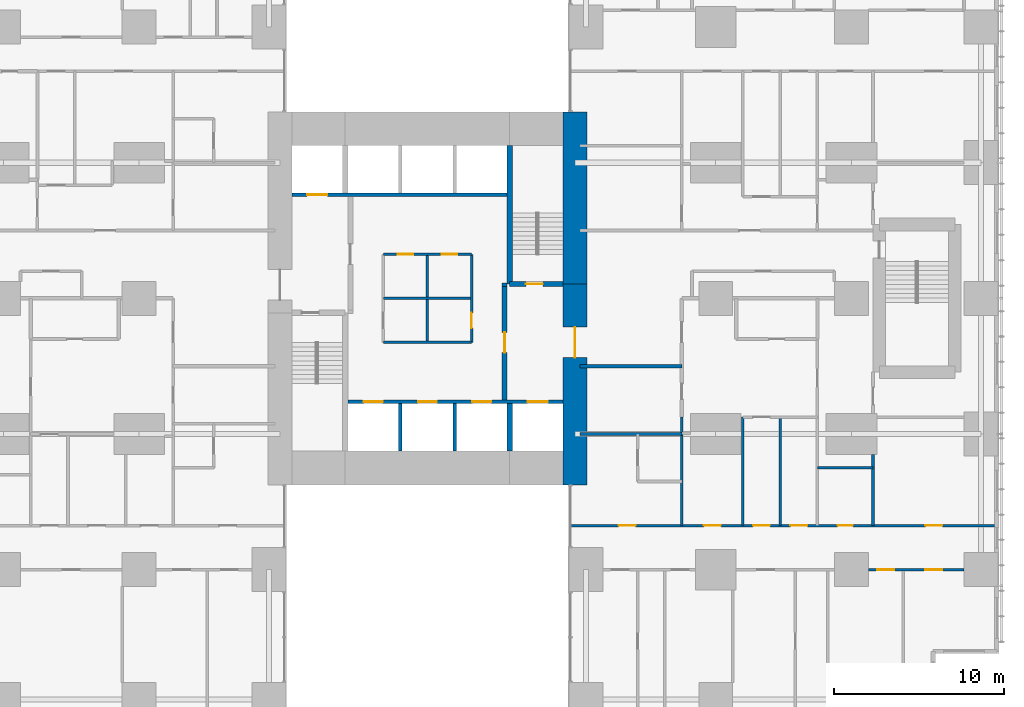
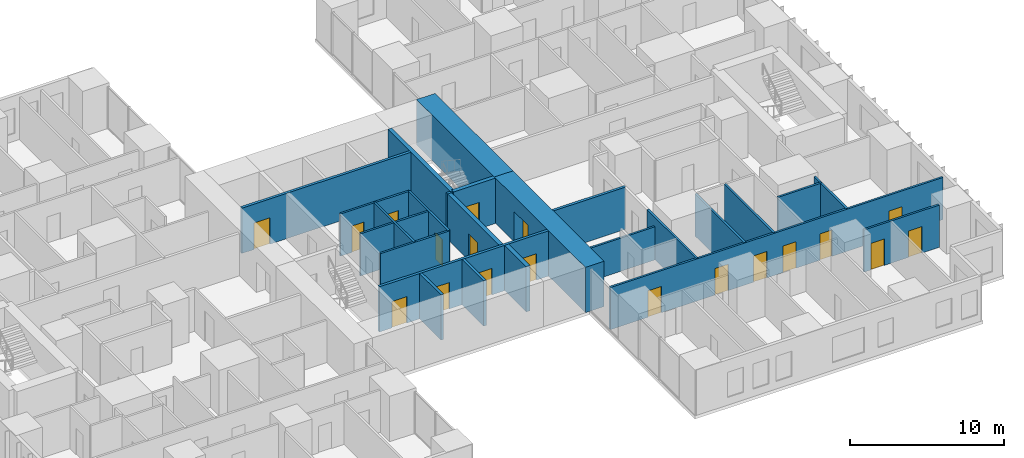
# One storey, part 15 of 20: 25 walls, 19 doors, 19 openings.
"""IFC4 building model written with IfcOpenShell, lengths in metres."""

from ifc_helpers import new_model, si_unit, direction, frame, frame_2d, origin, place, context, subcontext, project, spatial, rectangle, extrude, material, layer, layer_set, type_object, element, fill, save


model = new_model("IFC4")

# Units and contexts
model_context = context("Model", 3, precision=1e-05, world=origin(), true_north=direction((0.0, 1.0)))
body_context = subcontext(model_context, "Body", "Model", "MODEL_VIEW")
ifc_project = project(units=[si_unit("LENGTHUNIT", "METRE"), si_unit("AREAUNIT", "SQUARE_METRE"), si_unit("VOLUMEUNIT", "CUBIC_METRE"), si_unit("PLANEANGLEUNIT", "RADIAN"), si_unit("MASSUNIT", "GRAM", prefix="KILO")], contexts=[model_context])

# Site, building, storey
site_placement = place(None, origin())
site = spatial("IfcSite", under=ifc_project, at=site_placement, CompositionType="ELEMENT")
building_placement = place(site_placement, origin())
building = spatial("IfcBuilding", under=site, at=building_placement, Name="Cleftline Residences", CompositionType="ELEMENT")
storey_placement = place(building_placement, frame((0.0, 0.0, 80.0)))
storey = spatial("IfcBuildingStorey", under=building, at=storey_placement, Name="L20", CompositionType="ELEMENT", Elevation=80.0)

# Wall, opening, door
ifc_material_1 = material(Name="Concrete B70", Category="concrete")
ifc_layer_1 = layer(ifc_material_1, 1.39990234375)
ifc_layer_set_1 = layer_set([ifc_layer_1], Name="CORE WALL 1400")
wall_type_1 = type_object("IfcWallType", Name="CORE WALL 1400", PredefinedType="SHEAR", material=ifc_layer_set_1)
wall_1_placement = place(storey_placement, frame((41.699951171875, 13.0, 0.0), z_axis=(0.0, 0.0, 1.0), x_axis=(0.0, 1.0, 0.0)))
wall_1 = element("IfcWall", 1, at=wall_1_placement, inside=storey, type_object=wall_type_1, Name="Core wall E", PredefinedType="SHEAR", context=body_context, shape_type="SweptSolid", body=[
    extrude(rectangle(XDim=11.85009765625, YDim=1.39990234375, at=frame_2d((5.925048828125, 0.0))), origin(), (0.0, 0.0, 1.0), 3.60009765625),
])
opening_1_placement = place(wall_1_placement, frame((7.5, 0.0, 0.0)))
opening_1 = element("IfcOpeningElement", 2, at=opening_1_placement, cuts=wall_1, Name="Opening D7", PredefinedType="OPENING", context=body_context, shape_type="SweptSolid", body=[
    extrude(rectangle(XDim=1.800048828125, YDim=2.39990234375, at=frame_2d((0.89990234375, 1.199951171875))), frame((0.0, 0.7099609375, 0.0), z_axis=(0.0, -1.0, 0.0), x_axis=(1.0, 0.0, 0.0)), (0.0, 0.0, 1.0), 1.419921875),
])
ifc_material_2 = material(Name="Steel", Category="steel")
door_type_1 = type_object("IfcDoorType", Name="WING DOOR 1800X2400", OperationType="DOUBLE_DOOR_DOUBLE_SWING", PredefinedType="DOOR", material=ifc_material_2)
door_1_placement = place(opening_1_placement, origin())
door_1 = element("IfcDoor", 3, at=door_1_placement, inside=storey, type_object=door_type_1, Name="East wing door", OperationType="DOUBLE_DOOR_DOUBLE_SWING", OverallHeight=2.39990234375, OverallWidth=1.800048828125, PredefinedType="DOOR", context=body_context, shape_type="SweptSolid", body=[
    extrude(rectangle(XDim=1.800048828125, YDim=2.39990234375, at=frame_2d((0.89990234375, 1.199951171875))), frame((0.0, 0.02490234375, 0.0), z_axis=(0.0, -1.0, 0.0), x_axis=(1.0, 0.0, 0.0)), (0.0, 0.0, 1.0), 0.050048828125),
])
fill(opening_1, door_1)

# Walls
wall_2_placement = place(storey_placement, frame((41.699951171875, 24.85009765625, 0.0), z_axis=(0.0, 0.0, 1.0), x_axis=(0.0, 1.0, 0.0)))
element("IfcWall", 4, at=wall_2_placement, inside=storey, type_object=wall_type_1, Name="Core wall E1", PredefinedType="SHEAR", context=body_context, shape_type="SweptSolid", body=[
    extrude(rectangle(XDim=10.14990234375, YDim=1.39990234375, at=frame_2d((5.074951171875, 0.0))), origin(), (0.0, 0.0, 1.0), 3.60009765625),
])
ifc_material_3 = material(Name="Concrete B70", Category="concrete")
ifc_layer_2 = layer(ifc_material_3, 0.300048828125)
ifc_layer_set_2 = layer_set([ifc_layer_2], Name="CORE WALL 300")
wall_type_2 = type_object("IfcWallType", Name="CORE WALL 300", PredefinedType="SHEAR", material=ifc_layer_set_2)
wall_3_placement = place(storey_placement, frame((37.85009765625, 24.85009765625, 0.0), z_axis=(0.0, 0.0, 1.0), x_axis=(0.0, 1.0, 0.0)))
element("IfcWall", 5, at=wall_3_placement, inside=storey, type_object=wall_type_2, Name="Core wall SB-W", PredefinedType="SHEAR", context=body_context, shape_type="SweptSolid", body=[
    extrude(rectangle(XDim=8.14990234375, YDim=0.300048828125, at=frame_2d((4.074951171875, 0.0))), origin(), (0.0, 0.0, 1.0), 3.60009765625),
])

# Wall, opening, door
wall_4_placement = place(storey_placement, frame((37.85009765625, 24.85009765625, 0.0), z_axis=(0.0, 0.0, 1.0), x_axis=(1.0, 0.0, 0.0)))
wall_4 = element("IfcWall", 6, at=wall_4_placement, inside=storey, type_object=wall_type_2, Name="Core wall SB-S", PredefinedType="SHEAR", context=body_context, shape_type="SweptSolid", body=[
    extrude(rectangle(XDim=3.14990234375, YDim=0.300048828125, at=frame_2d((1.574951171875, 0.0))), origin(), (0.0, 0.0, 1.0), 3.60009765625),
])
opening_2_placement = place(wall_4_placement, frame((0.949951171875, 0.0, 0.0)))
opening_2 = element("IfcOpeningElement", 7, at=opening_2_placement, cuts=wall_4, Name="Opening D5", PredefinedType="OPENING", context=body_context, shape_type="SweptSolid", body=[
    extrude(rectangle(XDim=1.0, YDim=2.10009765625, at=frame_2d((0.5, 1.050048828125))), frame((0.0, 0.159912109375, 0.0), z_axis=(0.0, -1.0, 0.0), x_axis=(1.0, 0.0, 0.0)), (0.0, 0.0, 1.0), 0.320068359375),
])
ifc_material_4 = material(Name="Steel", Category="steel")
door_type_2 = type_object("IfcDoorType", Name="STAIR DOOR 1000X2100", OperationType="SINGLE_SWING_LEFT", PredefinedType="DOOR", material=ifc_material_4)
door_2_placement = place(opening_2_placement, origin())
door_2 = element("IfcDoor", 8, at=door_2_placement, inside=storey, type_object=door_type_2, Name="Stair B door", OperationType="SINGLE_SWING_RIGHT", OverallHeight=2.10009765625, OverallWidth=1.0, PredefinedType="DOOR", context=body_context, shape_type="SweptSolid", body=[
    extrude(rectangle(XDim=1.0, YDim=2.10009765625, at=frame_2d((0.5, 1.050048828125))), frame((0.0, 0.02490234375, 0.0), z_axis=(0.0, -1.0, 0.0), x_axis=(1.0, 0.0, 0.0)), (0.0, 0.0, 1.0), 0.050048828125),
])
fill(opening_2, door_2)

# Walls
wall_5_placement = place(storey_placement, frame((37.85009765625, 15.0, 0.0), z_axis=(0.0, 0.0, 1.0), x_axis=(0.0, 1.0, 0.0)))
element("IfcWall", 9, at=wall_5_placement, inside=storey, type_object=wall_type_2, Name="Lift shaft wall", PredefinedType="SHEAR", context=body_context, shape_type="SweptSolid", body=[
    extrude(rectangle(XDim=2.800048828125, YDim=0.300048828125, at=frame_2d((1.39990234375, 0.0))), origin(), (0.0, 0.0, 1.0), 3.60009765625),
])
ifc_material_5 = material(Name="Concrete blockwork, fire rated", Category="masonry")
ifc_layer_3 = layer(ifc_material_5, 0.199951171875)
ifc_layer_set_3 = layer_set([ifc_layer_3], Name="FIRE WALL 200")
wall_type_3 = type_object("IfcWallType", Name="FIRE WALL 200", PredefinedType="PARTITIONING", material=ifc_layer_set_3)
wall_6_placement = place(storey_placement, frame((42.0, 20.0, 0.0), z_axis=(0.0, 0.0, 1.0), x_axis=(1.0, 0.0, 0.0)))
element("IfcWall", 10, at=wall_6_placement, inside=storey, type_object=wall_type_3, Name="Fire separating wall", PredefinedType="PARTITIONING", context=body_context, shape_type="SweptSolid", body=[
    extrude(rectangle(XDim=6.0, YDim=0.199951171875, at=frame_2d((3.0, 0.0))), origin(), (0.0, 0.0, 1.0), 3.35009765625),
])
wall_7_placement = place(storey_placement, frame((37.39990234375, 24.800048828125, 0.0), z_axis=(0.0, 0.0, 1.0), x_axis=(1.0, 0.0, 0.0)))
element("IfcWall", 11, at=wall_7_placement, inside=storey, type_object=wall_type_3, Name="Fire separating wall", PredefinedType="PARTITIONING", context=body_context, shape_type="SweptSolid", body=[
    extrude(rectangle(XDim=0.300048828125, YDim=0.199951171875, at=frame_2d((0.14990234375, 0.0))), origin(), (0.0, 0.0, 1.0), 3.60009765625),
])

# Wall, openings, doors
ifc_material_6 = material(Name="Gypsum board on steel studs", Category="steel")
ifc_layer_4 = layer(ifc_material_6, 0.14990234375)
ifc_layer_set_4 = layer_set([ifc_layer_4], Name="PARTITION 150")
wall_type_4 = type_object("IfcWallType", Name="PARTITION 150", PredefinedType="PARTITIONING", material=ifc_layer_set_4)
wall_8_placement = place(storey_placement, frame((59.0, 8.0, 0.0), z_axis=(0.0, 0.0, 1.0), x_axis=(1.0, 0.0, 0.0)))
wall_8 = element("IfcWall", 12, at=wall_8_placement, inside=storey, type_object=wall_type_4, Name="Partition", PredefinedType="PARTITIONING", context=body_context, shape_type="SweptSolid", body=[
    extrude(rectangle(XDim=5.64990234375, YDim=0.14990234375, at=frame_2d((2.824951171875, 0.0))), origin(), (0.0, 0.0, 1.0), 3.35009765625),
])
opening_3_placement = place(wall_8_placement, frame((3.35009765625, 0.0, 0.0)))
opening_3 = element("IfcOpeningElement", 13, at=opening_3_placement, cuts=wall_8, Name="Opening D2", PredefinedType="OPENING", context=body_context, shape_type="SweptSolid", body=[
    extrude(rectangle(XDim=1.0, YDim=2.10009765625, at=frame_2d((0.5, 1.050048828125))), frame((0.0, 0.0849609375, 0.0), z_axis=(0.0, -1.0, 0.0), x_axis=(1.0, 0.0, 0.0)), (0.0, 0.0, 1.0), 0.169921875),
])
opening_4_placement = place(wall_8_placement, frame((0.52490234375, 0.0, 0.0)))
opening_4 = element("IfcOpeningElement", 14, at=opening_4_placement, cuts=wall_8, Name="Opening D2", PredefinedType="OPENING", context=body_context, shape_type="SweptSolid", body=[
    extrude(rectangle(XDim=1.0, YDim=2.10009765625, at=frame_2d((0.5, 1.050048828125))), frame((0.0, 0.0849609375, 0.0), z_axis=(0.0, -1.0, 0.0), x_axis=(1.0, 0.0, 0.0)), (0.0, 0.0, 1.0), 0.169921875),
])
ifc_material_7 = material(Name="Timber veneer on solid core", Category="wood")
door_type_3 = type_object("IfcDoorType", Name="DOOR 1000X2100", OperationType="SINGLE_SWING_LEFT", PredefinedType="DOOR", material=ifc_material_7)
door_3_placement = place(opening_3_placement, origin())
door_3 = element("IfcDoor", 15, at=door_3_placement, inside=storey, type_object=door_type_3, Name="Door to bedroom 2 sitting room", OperationType="SINGLE_SWING_LEFT", OverallHeight=2.10009765625, OverallWidth=1.0, PredefinedType="DOOR", context=body_context, shape_type="SweptSolid", body=[
    extrude(rectangle(XDim=1.0, YDim=2.10009765625, at=frame_2d((0.5, 1.050048828125))), frame((0.0, 0.02490234375, 0.0), z_axis=(0.0, -1.0, 0.0), x_axis=(1.0, 0.0, 0.0)), (0.0, 0.0, 1.0), 0.050048828125),
])
fill(opening_3, door_3)
door_4_placement = place(opening_4_placement, origin())
door_4 = element("IfcDoor", 16, at=door_4_placement, inside=storey, type_object=door_type_3, Name="Door to bedroom 2", OperationType="SINGLE_SWING_RIGHT", OverallHeight=2.10009765625, OverallWidth=1.0, PredefinedType="DOOR", context=body_context, shape_type="SweptSolid", body=[
    extrude(rectangle(XDim=1.0, YDim=2.10009765625, at=frame_2d((0.5, 1.050048828125))), frame((0.0, 0.02490234375, 0.0), z_axis=(0.0, -1.0, 0.0), x_axis=(1.0, 0.0, 0.0)), (0.0, 0.0, 1.0), 0.050048828125),
])
fill(opening_4, door_4)

wall_9_placement = place(storey_placement, frame((41.43896484375, 10.60009765625, 0.0), z_axis=(0.0, 0.0, 1.0), x_axis=(1.0, 0.0, 0.0)))
wall_9 = element("IfcWall", 17, at=wall_9_placement, inside=storey, type_object=wall_type_4, Name="Partition", PredefinedType="PARTITIONING", context=body_context, shape_type="SweptSolid", body=[
    extrude(rectangle(XDim=25.010986328125, YDim=0.14990234375, at=frame_2d((12.50537109375, 0.0))), origin(), (0.0, 0.0, 1.0), 3.35009765625),
])
opening_5_placement = place(wall_9_placement, frame((10.760986328125, 0.0, 0.0)))
opening_5 = element("IfcOpeningElement", 18, at=opening_5_placement, cuts=wall_9, Name="Opening D2", PredefinedType="OPENING", context=body_context, shape_type="SweptSolid", body=[
    extrude(rectangle(XDim=1.0, YDim=2.10009765625, at=frame_2d((0.5, 1.050048828125))), frame((0.0, 0.0849609375, 0.0), z_axis=(0.0, -1.0, 0.0), x_axis=(1.0, 0.0, 0.0)), (0.0, 0.0, 1.0), 0.169921875),
])
opening_6_placement = place(wall_9_placement, frame((20.923583984375, 0.0, 0.0)))
opening_6 = element("IfcOpeningElement", 19, at=opening_6_placement, cuts=wall_9, Name="Opening D2", PredefinedType="OPENING", context=body_context, shape_type="SweptSolid", body=[
    extrude(rectangle(XDim=1.0, YDim=2.10009765625, at=frame_2d((0.5, 1.050048828125))), frame((0.0, 0.0849609375, 0.0), z_axis=(0.0, -1.0, 0.0), x_axis=(1.0, 0.0, 0.0)), (0.0, 0.0, 1.0), 0.169921875),
])
opening_7_placement = place(wall_9_placement, frame((15.74853515625, 0.0, 0.0)))
opening_7 = element("IfcOpeningElement", 20, at=opening_7_placement, cuts=wall_9, Name="Opening D1", PredefinedType="OPENING", context=body_context, shape_type="SweptSolid", body=[
    extrude(rectangle(XDim=0.89990234375, YDim=2.10009765625, at=frame_2d((0.449951171875, 1.050048828125))), frame((0.0, 0.0849609375, 0.0), z_axis=(0.0, -1.0, 0.0), x_axis=(1.0, 0.0, 0.0)), (0.0, 0.0, 1.0), 0.169921875),
])
opening_8_placement = place(wall_9_placement, frame((12.9609375, 0.0, 0.0)))
opening_8 = element("IfcOpeningElement", 21, at=opening_8_placement, cuts=wall_9, Name="Opening D2", PredefinedType="OPENING", context=body_context, shape_type="SweptSolid", body=[
    extrude(rectangle(XDim=1.0, YDim=2.10009765625, at=frame_2d((0.5, 1.050048828125))), frame((0.0, 0.0849609375, 0.0), z_axis=(0.0, -1.0, 0.0), x_axis=(1.0, 0.0, 0.0)), (0.0, 0.0, 1.0), 0.169921875),
])
opening_9_placement = place(wall_9_placement, frame((7.861083984375, 0.0, 0.0)))
opening_9 = element("IfcOpeningElement", 22, at=opening_9_placement, cuts=wall_9, Name="Opening D2", PredefinedType="OPENING", context=body_context, shape_type="SweptSolid", body=[
    extrude(rectangle(XDim=1.0, YDim=2.10009765625, at=frame_2d((0.5, 1.050048828125))), frame((0.0, 0.0849609375, 0.0), z_axis=(0.0, -1.0, 0.0), x_axis=(1.0, 0.0, 0.0)), (0.0, 0.0, 1.0), 0.169921875),
])
opening_10_placement = place(wall_9_placement, frame((2.8359375, 0.0, 0.0)))
opening_10 = element("IfcOpeningElement", 23, at=opening_10_placement, cuts=wall_9, Name="Opening D2", PredefinedType="OPENING", context=body_context, shape_type="SweptSolid", body=[
    extrude(rectangle(XDim=1.0, YDim=2.10009765625, at=frame_2d((0.5, 1.050048828125))), frame((0.0, 0.0849609375, 0.0), z_axis=(0.0, -1.0, 0.0), x_axis=(1.0, 0.0, 0.0)), (0.0, 0.0, 1.0), 0.169921875),
])
door_5_placement = place(opening_5_placement, origin())
door_5 = element("IfcDoor", 24, at=door_5_placement, inside=storey, type_object=door_type_3, Name="Door to residence hall", OperationType="SINGLE_SWING_RIGHT", OverallHeight=2.10009765625, OverallWidth=1.0, PredefinedType="DOOR", context=body_context, shape_type="SweptSolid", body=[
    extrude(rectangle(XDim=1.0, YDim=2.10009765625, at=frame_2d((0.5, 1.050048828125))), frame((0.0, 0.02490234375, 0.0), z_axis=(0.0, -1.0, 0.0), x_axis=(1.0, 0.0, 0.0)), (0.0, 0.0, 1.0), 0.050048828125),
])
fill(opening_5, door_5)
door_6_placement = place(opening_6_placement, origin())
door_6 = element("IfcDoor", 25, at=door_6_placement, inside=storey, type_object=door_type_3, Name="Door to sea-view living room", OperationType="SINGLE_SWING_LEFT", OverallHeight=2.10009765625, OverallWidth=1.0, PredefinedType="DOOR", context=body_context, shape_type="SweptSolid", body=[
    extrude(rectangle(XDim=1.0, YDim=2.10009765625, at=frame_2d((0.5, 1.050048828125))), frame((0.0, 0.02490234375, 0.0), z_axis=(0.0, -1.0, 0.0), x_axis=(1.0, 0.0, 0.0)), (0.0, 0.0, 1.0), 0.050048828125),
])
fill(opening_6, door_6)
door_7_placement = place(opening_8_placement, origin())
door_7 = element("IfcDoor", 26, at=door_7_placement, inside=storey, type_object=door_type_3, Name="Door to family room", OperationType="SINGLE_SWING_LEFT", OverallHeight=2.10009765625, OverallWidth=1.0, PredefinedType="DOOR", context=body_context, shape_type="SweptSolid", body=[
    extrude(rectangle(XDim=1.0, YDim=2.10009765625, at=frame_2d((0.5, 1.050048828125))), frame((0.0, 0.02490234375, 0.0), z_axis=(0.0, -1.0, 0.0), x_axis=(1.0, 0.0, 0.0)), (0.0, 0.0, 1.0), 0.050048828125),
])
fill(opening_8, door_7)
door_8_placement = place(opening_9_placement, origin())
door_8 = element("IfcDoor", 27, at=door_8_placement, inside=storey, type_object=door_type_3, Name="Door to wet kitchen", OperationType="SINGLE_SWING_RIGHT", OverallHeight=2.10009765625, OverallWidth=1.0, PredefinedType="DOOR", context=body_context, shape_type="SweptSolid", body=[
    extrude(rectangle(XDim=1.0, YDim=2.10009765625, at=frame_2d((0.5, 1.050048828125))), frame((0.0, 0.02490234375, 0.0), z_axis=(0.0, -1.0, 0.0), x_axis=(1.0, 0.0, 0.0)), (0.0, 0.0, 1.0), 0.050048828125),
])
fill(opening_9, door_8)
door_9_placement = place(opening_10_placement, origin())
door_9 = element("IfcDoor", 28, at=door_9_placement, inside=storey, type_object=door_type_3, Name="Door to master bedroom", OperationType="SINGLE_SWING_RIGHT", OverallHeight=2.10009765625, OverallWidth=1.0, PredefinedType="DOOR", context=body_context, shape_type="SweptSolid", body=[
    extrude(rectangle(XDim=1.0, YDim=2.10009765625, at=frame_2d((0.5, 1.050048828125))), frame((0.0, 0.02490234375, 0.0), z_axis=(0.0, -1.0, 0.0), x_axis=(1.0, 0.0, 0.0)), (0.0, 0.0, 1.0), 0.050048828125),
])
fill(opening_10, door_9)
ifc_material_8 = material(Name="Timber veneer on solid core", Category="wood")
door_type_4 = type_object("IfcDoorType", Name="DOOR 900X2100", OperationType="SINGLE_SWING_LEFT", PredefinedType="DOOR", material=ifc_material_8)
door_10_placement = place(opening_7_placement, origin())
door_10 = element("IfcDoor", 29, at=door_10_placement, inside=storey, type_object=door_type_4, Name="Door to bedroom 2 bathroom", OperationType="SINGLE_SWING_LEFT", OverallHeight=2.10009765625, OverallWidth=0.89990234375, PredefinedType="DOOR", context=body_context, shape_type="SweptSolid", body=[
    extrude(rectangle(XDim=0.89990234375, YDim=2.10009765625, at=frame_2d((0.449951171875, 1.050048828125))), frame((0.0, 0.02490234375, 0.0), z_axis=(0.0, -1.0, 0.0), x_axis=(1.0, 0.0, 0.0)), (0.0, 0.0, 1.0), 0.050048828125),
])
fill(opening_7, door_10)

# Walls
wall_10_placement = place(storey_placement, frame((56.0, 14.0, 0.0), z_axis=(0.0, 0.0, 1.0), x_axis=(1.0, 0.0, 0.0)))
element("IfcWall", 30, at=wall_10_placement, inside=storey, type_object=wall_type_4, Name="Partition", PredefinedType="PARTITIONING", context=body_context, shape_type="SweptSolid", body=[
    extrude(rectangle(XDim=3.27490234375, YDim=0.14990234375, at=frame_2d((1.637451171875, 0.0))), origin(), (0.0, 0.0, 1.0), 3.35009765625),
])
wall_11_placement = place(storey_placement, frame((42.0, 16.0, 0.0), z_axis=(0.0, 0.0, 1.0), x_axis=(1.0, 0.0, 0.0)))
element("IfcWall", 31, at=wall_11_placement, inside=storey, type_object=wall_type_4, Name="Partition", PredefinedType="PARTITIONING", context=body_context, shape_type="SweptSolid", body=[
    extrude(rectangle(XDim=6.0, YDim=0.14990234375, at=frame_2d((3.0, 0.0))), origin(), (0.0, 0.0, 1.0), 2.634033203125),
])
for number, where, z_axis, x_axis, name in (
    (32, (48.0, 10.60009765625, 0.0), (0.0, 0.0, 1.0), (0.0, 1.0, 0.0), "Partition"),
    (33, (51.60009765625, 10.60009765625, 0.0), (0.0, 0.0, 1.0), (0.0, 1.0, 0.0), "Partition"),
    (34, (53.800048828125, 10.60009765625, 0.0), (0.0, 0.0, 1.0), (0.0, 1.0, 0.0), "Partition"),
):
    element("IfcWall", number, at=place(storey_placement, frame(where, z_axis=z_axis, x_axis=x_axis)), inside=storey, type_object=wall_type_4, Name=name, PredefinedType="PARTITIONING", context=body_context, shape_type="SweptSolid", body=[
        extrude(rectangle(XDim=6.39990234375, YDim=0.14990234375, at=frame_2d((3.199951171875, 0.0))), origin(), (0.0, 0.0, 1.0), 3.35009765625),
    ])
wall_12_placement = place(storey_placement, frame((59.27490234375, 10.60009765625, 0.0), z_axis=(0.0, 0.0, 1.0), x_axis=(0.0, 1.0, 0.0)))
element("IfcWall", 35, at=wall_12_placement, inside=storey, type_object=wall_type_4, Name="Partition", PredefinedType="PARTITIONING", context=body_context, shape_type="SweptSolid", body=[
    extrude(rectangle(XDim=4.199951171875, YDim=0.14990234375, at=frame_2d((2.10009765625, 0.0))), origin(), (0.0, 0.0, 1.0), 3.35009765625),
])
ifc_material_9 = material(Name="Fire-resisting gypsum board on steel studs", Category="steel")
ifc_layer_5 = layer(ifc_material_9, 0.14990234375)
ifc_layer_set_5 = layer_set([ifc_layer_5], Name="PARTITION 150 EI 60")
wall_type_5 = type_object("IfcWallType", Name="PARTITION 150 EI 60", PredefinedType="PARTITIONING", material=ifc_layer_set_5)
wall_13_placement = place(storey_placement, frame((30.39990234375, 21.39990234375, 0.0), z_axis=(0.0, 0.0, 1.0), x_axis=(1.0, 0.0, 0.0)))
element("IfcWall", 36, at=wall_13_placement, inside=storey, type_object=wall_type_5, Name="Core room partition", PredefinedType="PARTITIONING", context=body_context, shape_type="SweptSolid", body=[
    extrude(rectangle(XDim=5.2001953125, YDim=0.14990234375, at=frame_2d((2.60009765625, 0.0))), origin(), (0.0, 0.0, 1.0), 3.35009765625),
])

# Wall, openings, doors
wall_14_placement = place(storey_placement, frame((30.39990234375, 26.60009765625, 0.0), z_axis=(0.0, 0.0, 1.0), x_axis=(1.0, 0.0, 0.0)))
wall_14 = element("IfcWall", 37, at=wall_14_placement, inside=storey, type_object=wall_type_5, Name="Core room partition", PredefinedType="PARTITIONING", context=body_context, shape_type="SweptSolid", body=[
    extrude(rectangle(XDim=5.2001953125, YDim=0.14990234375, at=frame_2d((2.60009765625, 0.0))), origin(), (0.0, 0.0, 1.0), 3.35009765625),
])
opening_11_placement = place(wall_14_placement, frame((0.85009765625, 0.0, 0.0)))
opening_11 = element("IfcOpeningElement", 38, at=opening_11_placement, cuts=wall_14, Name="Opening D1F30", PredefinedType="OPENING", context=body_context, shape_type="SweptSolid", body=[
    extrude(rectangle(XDim=0.89990234375, YDim=2.10009765625, at=frame_2d((0.449951171875, 1.050048828125))), frame((0.0, 0.0849609375, 0.0), z_axis=(0.0, -1.0, 0.0), x_axis=(1.0, 0.0, 0.0)), (0.0, 0.0, 1.0), 0.169921875),
])
opening_12_placement = place(wall_14_placement, frame((3.449951171875, 0.0, 0.0)))
opening_12 = element("IfcOpeningElement", 39, at=opening_12_placement, cuts=wall_14, Name="Opening D1F30", PredefinedType="OPENING", context=body_context, shape_type="SweptSolid", body=[
    extrude(rectangle(XDim=0.89990234375, YDim=2.10009765625, at=frame_2d((0.449951171875, 1.050048828125))), frame((0.0, 0.0849609375, 0.0), z_axis=(0.0, -1.0, 0.0), x_axis=(1.0, 0.0, 0.0)), (0.0, 0.0, 1.0), 0.169921875),
])
ifc_material_10 = material(Name="Timber veneer on solid core", Category="wood")
door_type_5 = type_object("IfcDoorType", Name="DOOR 900X2100 EI 30", OperationType="SINGLE_SWING_LEFT", PredefinedType="DOOR", material=ifc_material_10)
door_11_placement = place(opening_11_placement, origin())
door_11 = element("IfcDoor", 40, at=door_11_placement, inside=storey, type_object=door_type_5, Name="Door to linen store", OperationType="SINGLE_SWING_RIGHT", OverallHeight=2.10009765625, OverallWidth=0.89990234375, PredefinedType="DOOR", context=body_context, shape_type="SweptSolid", body=[
    extrude(rectangle(XDim=0.89990234375, YDim=2.10009765625, at=frame_2d((0.449951171875, 1.050048828125))), frame((0.0, 0.02490234375, 0.0), z_axis=(0.0, -1.0, 0.0), x_axis=(1.0, 0.0, 0.0)), (0.0, 0.0, 1.0), 0.050048828125),
])
fill(opening_11, door_11)
door_12_placement = place(opening_12_placement, origin())
door_12 = element("IfcDoor", 41, at=door_12_placement, inside=storey, type_object=door_type_5, Name="Door to guest pantry", OperationType="SINGLE_SWING_LEFT", OverallHeight=2.10009765625, OverallWidth=0.89990234375, PredefinedType="DOOR", context=body_context, shape_type="SweptSolid", body=[
    extrude(rectangle(XDim=0.89990234375, YDim=2.10009765625, at=frame_2d((0.449951171875, 1.050048828125))), frame((0.0, 0.02490234375, 0.0), z_axis=(0.0, -1.0, 0.0), x_axis=(1.0, 0.0, 0.0)), (0.0, 0.0, 1.0), 0.050048828125),
])
fill(opening_12, door_12)

# Wall, opening, door
wall_15_placement = place(storey_placement, frame((35.60009765625, 21.39990234375, 0.0), z_axis=(0.0, 0.0, 1.0), x_axis=(0.0, 1.0, 0.0)))
wall_15 = element("IfcWall", 42, at=wall_15_placement, inside=storey, type_object=wall_type_5, Name="Core room partition", PredefinedType="PARTITIONING", context=body_context, shape_type="SweptSolid", body=[
    extrude(rectangle(XDim=5.2001953125, YDim=0.14990234375, at=frame_2d((2.60009765625, 0.0))), origin(), (0.0, 0.0, 1.0), 3.35009765625),
])
opening_13_placement = place(wall_15_placement, frame((0.85009765625, 0.0, 0.0)))
opening_13 = element("IfcOpeningElement", 43, at=opening_13_placement, cuts=wall_15, Name="Opening D1F30", PredefinedType="OPENING", context=body_context, shape_type="SweptSolid", body=[
    extrude(rectangle(XDim=0.89990234375, YDim=2.10009765625, at=frame_2d((0.449951171875, 1.050048828125))), frame((0.0, 0.0849609375, 0.0), z_axis=(0.0, -1.0, 0.0), x_axis=(1.0, 0.0, 0.0)), (0.0, 0.0, 1.0), 0.169921875),
])
door_13_placement = place(opening_13_placement, origin())
door_13 = element("IfcDoor", 44, at=door_13_placement, inside=storey, type_object=door_type_5, Name="Door to housekeeping store", OperationType="SINGLE_SWING_RIGHT", OverallHeight=2.10009765625, OverallWidth=0.89990234375, PredefinedType="DOOR", context=body_context, shape_type="SweptSolid", body=[
    extrude(rectangle(XDim=0.89990234375, YDim=2.10009765625, at=frame_2d((0.449951171875, 1.050048828125))), frame((0.0, 0.02490234375, 0.0), z_axis=(0.0, -1.0, 0.0), x_axis=(1.0, 0.0, 0.0)), (0.0, 0.0, 1.0), 0.050048828125),
])
fill(opening_13, door_13)

# Walls
for number, where, z_axis, x_axis, name in (
    (45, (30.39990234375, 24.0, 0.0), (0.0, 0.0, 1.0), (1.0, 0.0, 0.0), "Core room partition"),
    (46, (33.0, 21.39990234375, 0.0), (0.0, 0.0, 1.0), (0.0, 1.0, 0.0), "Core room partition"),
):
    element("IfcWall", number, at=place(storey_placement, frame(where, z_axis=z_axis, x_axis=x_axis)), inside=storey, type_object=wall_type_5, Name=name, PredefinedType="PARTITIONING", context=body_context, shape_type="SweptSolid", body=[
        extrude(rectangle(XDim=5.2001953125, YDim=0.14990234375, at=frame_2d((2.60009765625, 0.0))), origin(), (0.0, 0.0, 1.0), 3.35009765625),
    ])

# Wall, openings, doors
ifc_material_11 = material(Name="Concrete blockwork, fire rated", Category="masonry")
ifc_layer_6 = layer(ifc_material_11, 0.199951171875)
ifc_layer_set_6 = layer_set([ifc_layer_6], Name="SHAFT WALL 200")
wall_type_6 = type_object("IfcWallType", Name="SHAFT WALL 200", PredefinedType="PARTITIONING", material=ifc_layer_set_6)
wall_16_placement = place(storey_placement, frame((28.300048828125, 17.89990234375, 0.0), z_axis=(0.0, 0.0, 1.0), x_axis=(1.0, 0.0, 0.0)))
wall_16 = element("IfcWall", 47, at=wall_16_placement, inside=storey, type_object=wall_type_6, Name="Lift shaft wall", PredefinedType="PARTITIONING", context=body_context, shape_type="SweptSolid", body=[
    extrude(rectangle(XDim=12.699951171875, YDim=0.199951171875, at=frame_2d((6.35009765625, 0.0))), origin(), (0.0, 0.0, 1.0), 3.60009765625),
])
opening_14_placement = place(wall_16_placement, frame((0.949951171875, 0.0, 0.0)))
opening_14 = element("IfcOpeningElement", 48, at=opening_14_placement, cuts=wall_16, Name="Opening LD1", PredefinedType="OPENING", context=body_context, shape_type="SweptSolid", body=[
    extrude(rectangle(XDim=1.10009765625, YDim=2.10009765625, at=frame_2d((0.550048828125, 1.050048828125))), frame((0.0, 0.10986328125, 0.0), z_axis=(0.0, -1.0, 0.0), x_axis=(1.0, 0.0, 0.0)), (0.0, 0.0, 1.0), 0.219970703125),
])
opening_15_placement = place(wall_16_placement, frame((4.14990234375, 0.0, 0.0)))
opening_15 = element("IfcOpeningElement", 49, at=opening_15_placement, cuts=wall_16, Name="Opening LD1", PredefinedType="OPENING", context=body_context, shape_type="SweptSolid", body=[
    extrude(rectangle(XDim=1.10009765625, YDim=2.10009765625, at=frame_2d((0.550048828125, 1.050048828125))), frame((0.0, 0.10986328125, 0.0), z_axis=(0.0, -1.0, 0.0), x_axis=(1.0, 0.0, 0.0)), (0.0, 0.0, 1.0), 0.219970703125),
])
opening_16_placement = place(wall_16_placement, frame((7.35009765625, 0.0, 0.0)))
opening_16 = element("IfcOpeningElement", 50, at=opening_16_placement, cuts=wall_16, Name="Opening LD1", PredefinedType="OPENING", context=body_context, shape_type="SweptSolid", body=[
    extrude(rectangle(XDim=1.10009765625, YDim=2.10009765625, at=frame_2d((0.550048828125, 1.050048828125))), frame((0.0, 0.10986328125, 0.0), z_axis=(0.0, -1.0, 0.0), x_axis=(1.0, 0.0, 0.0)), (0.0, 0.0, 1.0), 0.219970703125),
])
opening_17_placement = place(wall_16_placement, frame((10.60009765625, 0.0, 0.0)))
opening_17 = element("IfcOpeningElement", 51, at=opening_17_placement, cuts=wall_16, Name="Opening LD2", PredefinedType="OPENING", context=body_context, shape_type="SweptSolid", body=[
    extrude(rectangle(XDim=1.199951171875, YDim=2.10009765625, at=frame_2d((0.60009765625, 1.050048828125))), frame((0.0, 0.10986328125, 0.0), z_axis=(0.0, -1.0, 0.0), x_axis=(1.0, 0.0, 0.0)), (0.0, 0.0, 1.0), 0.219970703125),
])
ifc_material_12 = material(Name="Steel", Category="steel")
door_type_6 = type_object("IfcDoorType", Name="FIREFIGHTING LIFT LANDING DOOR 1200X2100", OperationType="SLIDING_TO_LEFT", PredefinedType="DOOR", material=ifc_material_12)
door_14_placement = place(opening_17_placement, origin())
door_14 = element("IfcDoor", 52, at=door_14_placement, inside=storey, type_object=door_type_6, Name="Lift FL2 landing door", OperationType="SLIDING_TO_LEFT", OverallHeight=2.10009765625, OverallWidth=1.199951171875, PredefinedType="DOOR", context=body_context, shape_type="SweptSolid", body=[
    extrude(rectangle(XDim=1.199951171875, YDim=2.10009765625, at=frame_2d((0.60009765625, 1.050048828125))), frame((0.0, 0.02490234375, 0.0), z_axis=(0.0, -1.0, 0.0), x_axis=(1.0, 0.0, 0.0)), (0.0, 0.0, 1.0), 0.050048828125),
])
fill(opening_17, door_14)
ifc_material_13 = material(Name="Steel", Category="steel")
door_type_7 = type_object("IfcDoorType", Name="LIFT LANDING DOOR 1100X2100", OperationType="SLIDING_TO_LEFT", PredefinedType="DOOR", material=ifc_material_13)
door_15_placement = place(opening_14_placement, origin())
door_15 = element("IfcDoor", 53, at=door_15_placement, inside=storey, type_object=door_type_7, Name="Lift P1 landing door", OperationType="SLIDING_TO_LEFT", OverallHeight=2.10009765625, OverallWidth=1.10009765625, PredefinedType="DOOR", context=body_context, shape_type="SweptSolid", body=[
    extrude(rectangle(XDim=1.10009765625, YDim=2.10009765625, at=frame_2d((0.550048828125, 1.050048828125))), frame((0.0, 0.02490234375, 0.0), z_axis=(0.0, -1.0, 0.0), x_axis=(1.0, 0.0, 0.0)), (0.0, 0.0, 1.0), 0.050048828125),
])
fill(opening_14, door_15)
door_16_placement = place(opening_15_placement, origin())
door_16 = element("IfcDoor", 54, at=door_16_placement, inside=storey, type_object=door_type_7, Name="Lift P2 landing door", OperationType="SLIDING_TO_LEFT", OverallHeight=2.10009765625, OverallWidth=1.10009765625, PredefinedType="DOOR", context=body_context, shape_type="SweptSolid", body=[
    extrude(rectangle(XDim=1.10009765625, YDim=2.10009765625, at=frame_2d((0.550048828125, 1.050048828125))), frame((0.0, 0.02490234375, 0.0), z_axis=(0.0, -1.0, 0.0), x_axis=(1.0, 0.0, 0.0)), (0.0, 0.0, 1.0), 0.050048828125),
])
fill(opening_15, door_16)
door_17_placement = place(opening_16_placement, origin())
door_17 = element("IfcDoor", 55, at=door_17_placement, inside=storey, type_object=door_type_7, Name="Lift P3 landing door", OperationType="SLIDING_TO_LEFT", OverallHeight=2.10009765625, OverallWidth=1.10009765625, PredefinedType="DOOR", context=body_context, shape_type="SweptSolid", body=[
    extrude(rectangle(XDim=1.10009765625, YDim=2.10009765625, at=frame_2d((0.550048828125, 1.050048828125))), frame((0.0, 0.02490234375, 0.0), z_axis=(0.0, -1.0, 0.0), x_axis=(1.0, 0.0, 0.0)), (0.0, 0.0, 1.0), 0.050048828125),
])
fill(opening_16, door_17)

# Wall, opening, door
wall_17_placement = place(storey_placement, frame((25.0, 30.10009765625, 0.0), z_axis=(0.0, 0.0, 1.0), x_axis=(1.0, 0.0, 0.0)))
wall_17 = element("IfcWall", 56, at=wall_17_placement, inside=storey, type_object=wall_type_6, Name="Lift shaft wall", PredefinedType="PARTITIONING", context=body_context, shape_type="SweptSolid", body=[
    extrude(rectangle(XDim=12.699951171875, YDim=0.199951171875, at=frame_2d((6.35009765625, 0.0))), origin(), (0.0, 0.0, 1.0), 3.60009765625),
])
opening_18_placement = place(wall_17_placement, frame((0.89990234375, 0.0, 0.0)))
opening_18 = element("IfcOpeningElement", 57, at=opening_18_placement, cuts=wall_17, Name="Opening LD2", PredefinedType="OPENING", context=body_context, shape_type="SweptSolid", body=[
    extrude(rectangle(XDim=1.199951171875, YDim=2.10009765625, at=frame_2d((0.60009765625, 1.050048828125))), frame((0.0, 0.10986328125, 0.0), z_axis=(0.0, -1.0, 0.0), x_axis=(1.0, 0.0, 0.0)), (0.0, 0.0, 1.0), 0.219970703125),
])
door_18_placement = place(opening_18_placement, origin())
door_18 = element("IfcDoor", 58, at=door_18_placement, inside=storey, type_object=door_type_6, Name="Lift FL1 landing door", OperationType="SLIDING_TO_LEFT", OverallHeight=2.10009765625, OverallWidth=1.199951171875, PredefinedType="DOOR", context=body_context, shape_type="SweptSolid", body=[
    extrude(rectangle(XDim=1.199951171875, YDim=2.10009765625, at=frame_2d((0.60009765625, 1.050048828125))), frame((0.0, 0.02490234375, 0.0), z_axis=(0.0, -1.0, 0.0), x_axis=(1.0, 0.0, 0.0)), (0.0, 0.0, 1.0), 0.050048828125),
])
fill(opening_18, door_18)

# Walls
for number, where, z_axis, x_axis, name in (
    (59, (31.39990234375, 15.0, 0.0), (0.0, 0.0, 1.0), (0.0, 1.0, 0.0), "Lift shaft wall"),
    (60, (34.60009765625, 15.0, 0.0), (0.0, 0.0, 1.0), (0.0, 1.0, 0.0), "Lift shaft wall"),
):
    element("IfcWall", number, at=place(storey_placement, frame(where, z_axis=z_axis, x_axis=x_axis)), inside=storey, type_object=wall_type_6, Name=name, PredefinedType="PARTITIONING", context=body_context, shape_type="SweptSolid", body=[
        extrude(rectangle(XDim=2.800048828125, YDim=0.199951171875, at=frame_2d((1.39990234375, 0.0))), origin(), (0.0, 0.0, 1.0), 3.60009765625),
    ])

# Wall, opening, door
ifc_material_14 = material(Name="Concrete blockwork, fire rated", Category="masonry")
ifc_layer_7 = layer(ifc_material_14, 0.300048828125)
ifc_layer_set_7 = layer_set([ifc_layer_7], Name="STAIR LOBBY WALL 300")
wall_type_7 = type_object("IfcWallType", Name="STAIR LOBBY WALL 300", PredefinedType="PARTITIONING", material=ifc_layer_set_7)
wall_18_placement = place(storey_placement, frame((37.550048828125, 18.0, 0.0), z_axis=(0.0, 0.0, 1.0), x_axis=(0.0, 1.0, 0.0)))
wall_18 = element("IfcWall", 61, at=wall_18_placement, inside=storey, type_object=wall_type_7, Name="Stair and lobby wall FB-W", PredefinedType="PARTITIONING", context=body_context, shape_type="SweptSolid", body=[
    extrude(rectangle(XDim=6.699951171875, YDim=0.300048828125, at=frame_2d((3.35009765625, 0.0))), origin(), (0.0, 0.0, 1.0), 3.60009765625),
])
opening_19_placement = place(wall_18_placement, frame((2.800048828125, 0.0, 0.0)))
opening_19 = element("IfcOpeningElement", 62, at=opening_19_placement, cuts=wall_18, Name="Opening D6", PredefinedType="OPENING", context=body_context, shape_type="SweptSolid", body=[
    extrude(rectangle(XDim=1.199951171875, YDim=2.10009765625, at=frame_2d((0.60009765625, 1.050048828125))), frame((0.0, 0.159912109375, 0.0), z_axis=(0.0, -1.0, 0.0), x_axis=(1.0, 0.0, 0.0)), (0.0, 0.0, 1.0), 0.320068359375),
])
ifc_material_15 = material(Name="Steel", Category="steel")
door_type_8 = type_object("IfcDoorType", Name="LOBBY DOOR 1200X2100", OperationType="SINGLE_SWING_RIGHT", PredefinedType="DOOR", material=ifc_material_15)
door_19_placement = place(opening_19_placement, origin())
door_19 = element("IfcDoor", 63, at=door_19_placement, inside=storey, type_object=door_type_8, Name="Firefighting lobby B door", OperationType="SINGLE_SWING_LEFT", OverallHeight=2.10009765625, OverallWidth=1.199951171875, PredefinedType="DOOR", context=body_context, shape_type="SweptSolid", body=[
    extrude(rectangle(XDim=1.199951171875, YDim=2.10009765625, at=frame_2d((0.60009765625, 1.050048828125))), frame((0.0, 0.02490234375, 0.0), z_axis=(0.0, -1.0, 0.0), x_axis=(1.0, 0.0, 0.0)), (0.0, 0.0, 1.0), 0.050048828125),
])
fill(opening_19, door_19)

save(model, "model.ifc")
